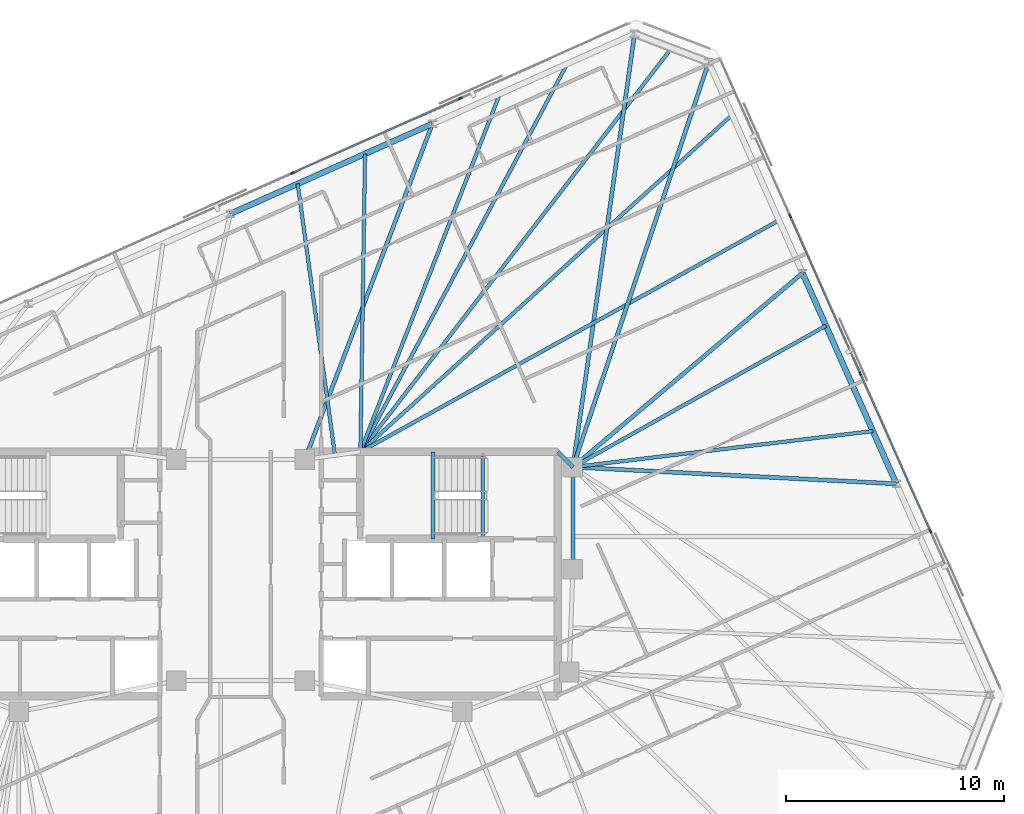
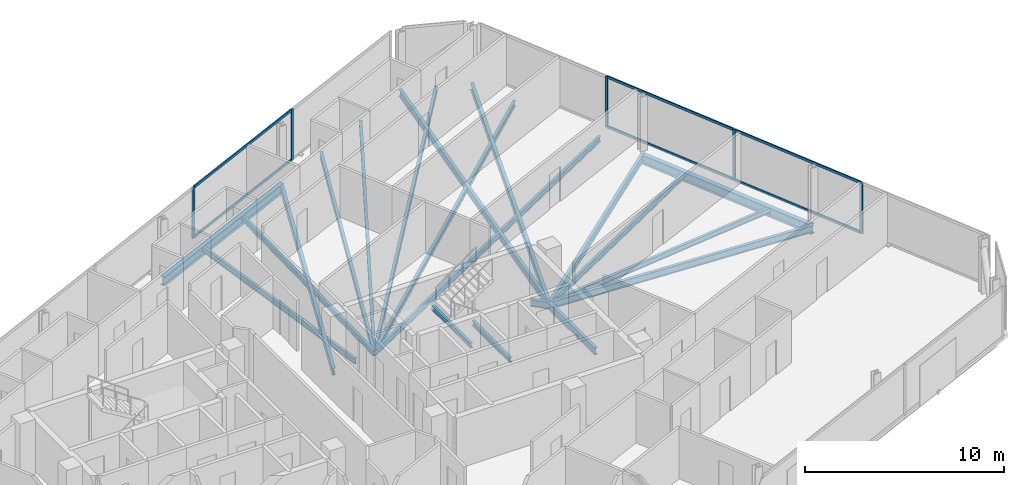
# One storey, part 10 of 19: 20 beams, 11 members, 2 elements without a shape of their own.
"""IFC4 building model written with IfcOpenShell, lengths in metres."""

from ifc_helpers import new_model, si_unit, direction, frame, origin, origin_2d, place, context, subcontext, project, spatial, rectangle, i_section, extrude, material, material_profile, profile_set, type_object, element, aggregate, save


model = new_model("IFC4")

# Units and contexts
model_context = context("Model", 3, precision=1e-05, world=origin(), true_north=direction((0.0, 1.0)))
body_context = subcontext(model_context, "Body", "Model", "MODEL_VIEW")
ifc_project = project(units=[si_unit("LENGTHUNIT", "METRE"), si_unit("AREAUNIT", "SQUARE_METRE"), si_unit("VOLUMEUNIT", "CUBIC_METRE"), si_unit("PLANEANGLEUNIT", "RADIAN"), si_unit("MASSUNIT", "GRAM", prefix="KILO")], contexts=[model_context])

# Site, building, storey
site_placement = place(None, origin())
site = spatial("IfcSite", under=ifc_project, at=site_placement, CompositionType="ELEMENT")
building_placement = place(site_placement, origin())
building = spatial("IfcBuilding", under=site, at=building_placement, Name="Menara Jurai Vektor", CompositionType="ELEMENT")
storey_placement = place(building_placement, frame((0.0, 0.0, 265.550048828125)))
storey = spatial("IfcBuildingStorey", under=building, at=storey_placement, Name="L71", CompositionType="ELEMENT", Elevation=265.550048828125)

# Curtain wall, members
ifc_material_1 = material(Name="Anodised Pale Aluminium & Low-E Double Glazing", Category="aluminium")
curtain_wall_type = type_object("IfcCurtainWallType", Name="CW-BLK5", PredefinedType="NOTDEFINED", material=ifc_material_1)
curtain_wall_1_placement = place(storey_placement, origin())
curtain_wall_1 = element("IfcCurtainWall", 1, at=curtain_wall_1_placement, inside=storey, type_object=curtain_wall_type, Name="Unitised Curtain Wall L71 F03", PredefinedType="NOTDEFINED")
ifc_material_2 = material(Name="Anodised Pale Aluminium Mullion", Category="aluminium")
ifc_material_profile_1 = material_profile(ifc_material_2, rectangle(XDim=0.074951171875, YDim=0.175048828125, at=origin_2d()), Name="ALU MUL 75x175")
ifc_profile_set_1 = profile_set([ifc_material_profile_1], Name="Anodised Pale Aluminium Mullion")
member_type_1 = type_object("IfcMemberType", Name="CW-BLK5-MUL", PredefinedType="MULLION", material=ifc_profile_set_1)
member_1_placement = place(storey_placement, frame((31.6533203125, 1.9658203125, 0.0), z_axis=(0.0, 0.0, 1.0), x_axis=(-0.913546127706, -0.406735138086, 0.0)))
member_1 = element("IfcMember", 2, at=member_1_placement, type_object=member_type_1, Name="CW-05 mullion 2", PredefinedType="MULLION", context=body_context, shape_type="SweptSolid", body=[
    extrude(rectangle(XDim=0.074951171875, YDim=0.175048828125, at=origin_2d()), origin(), (0.0, 0.0, 1.0), 3.125),
])
member_2_placement = place(storey_placement, frame((28.43603515625, 9.19189453125, 0.0), z_axis=(0.0, 0.0, 1.0), x_axis=(-0.913546127706, -0.406735138086, 0.0)))
member_2 = element("IfcMember", 3, at=member_2_placement, type_object=member_type_1, Name="CW-05 mullion 3", PredefinedType="MULLION", context=body_context, shape_type="SweptSolid", body=[
    extrude(rectangle(XDim=0.074951171875, YDim=0.175048828125, at=origin_2d()), origin(), (0.0, 0.0, 1.0), 3.125),
])
member_3_placement = place(storey_placement, frame((25.21875, 16.418212890625, 0.0), z_axis=(0.0, 0.0, 1.0), x_axis=(-0.913546127706, -0.406735138086, 0.0)))
member_3 = element("IfcMember", 4, at=member_3_placement, type_object=member_type_1, Name="CW-05 mullion 4", PredefinedType="MULLION", context=body_context, shape_type="SweptSolid", body=[
    extrude(rectangle(XDim=0.074951171875, YDim=0.175048828125, at=origin_2d()), origin(), (0.0, 0.0, 1.0), 3.125),
])

curtain_wall_2_placement = place(storey_placement, origin())
curtain_wall_2 = element("IfcCurtainWall", 5, at=curtain_wall_2_placement, inside=storey, type_object=curtain_wall_type, Name="Unitised Curtain Wall L71 F05", PredefinedType="NOTDEFINED")
member_4_placement = place(storey_placement, frame((10.0927734375, 21.822998046875, 0.0), z_axis=(0.0, 0.0, 1.0), x_axis=(0.406735498684, -0.913545967158, 0.0)))
member_4 = element("IfcMember", 6, at=member_4_placement, type_object=member_type_1, Name="CW-05 mullion 2", PredefinedType="MULLION", context=body_context, shape_type="SweptSolid", body=[
    extrude(rectangle(XDim=0.074951171875, YDim=0.175048828125, at=origin_2d()), origin(), (0.0, 0.0, 1.0), 3.125),
])
member_5_placement = place(storey_placement, frame((2.38232421875, 18.39013671875, 0.0), z_axis=(0.0, 0.0, 1.0), x_axis=(0.406735498684, -0.913545967158, 0.0)))
member_5 = element("IfcMember", 7, at=member_5_placement, type_object=member_type_1, Name="CW-05 mullion 3", PredefinedType="MULLION", context=body_context, shape_type="SweptSolid", body=[
    extrude(rectangle(XDim=0.074951171875, YDim=0.175048828125, at=origin_2d()), origin(), (0.0, 0.0, 1.0), 3.125),
])

# Member
ifc_material_3 = material(Name="Anodised Pale Aluminium Transom", Category="aluminium")
ifc_material_profile_2 = material_profile(ifc_material_3, rectangle(XDim=0.074951171875, YDim=0.155029296875, at=origin_2d()), Name="ALU TRN 75x155")
ifc_profile_set_2 = profile_set([ifc_material_profile_2], Name="Anodised Pale Aluminium Transom")
member_type_2 = type_object("IfcMemberType", Name="CW-BLK5-TRN", PredefinedType="USERDEFINED", material=ifc_profile_set_2)
member_6_placement = place(storey_placement, frame((31.63818359375, 2.0, 0.037353515625), z_axis=(-0.406731062496, 0.913547942256, 0.0), x_axis=(-0.913547942256, -0.406731062496, 0.0)))
member_6 = element("IfcMember", 8, at=member_6_placement, type_object=member_type_2, Name="CW-05 transom 2.1", ObjectType="TRANSOM", PredefinedType="USERDEFINED", context=body_context, shape_type="SweptSolid", body=[
    extrude(rectangle(XDim=0.074951171875, YDim=0.155029296875, at=origin_2d()), origin(), (0.0, 0.0, 1.0), 7.8349609375),
])

member_7_placement = place(storey_placement, frame((31.63818359375, 2.0, 3.08740234375), z_axis=(-0.406731062496, 0.913547942256, 0.0), x_axis=(-0.913547942256, -0.406731062496, 0.0)))
member_7 = element("IfcMember", 9, at=member_7_placement, type_object=member_type_2, Name="CW-05 transom 2.2", ObjectType="TRANSOM", PredefinedType="USERDEFINED", context=body_context, shape_type="SweptSolid", body=[
    extrude(rectangle(XDim=0.074951171875, YDim=0.155029296875, at=origin_2d()), origin(), (0.0, 0.0, 1.0), 7.8349609375),
])

member_8_placement = place(storey_placement, frame((28.4208984375, 9.226318359375, 0.037353515625), z_axis=(-0.40674264085, 0.913542787238, 0.0), x_axis=(-0.913542787238, -0.40674264085, 0.0)))
member_8 = element("IfcMember", 10, at=member_8_placement, type_object=member_type_2, Name="CW-05 transom 3.1", ObjectType="TRANSOM", PredefinedType="USERDEFINED", context=body_context, shape_type="SweptSolid", body=[
    extrude(rectangle(XDim=0.074951171875, YDim=0.155029296875, at=origin_2d()), origin(), (0.0, 0.0, 1.0), 7.8349609375),
])

member_9_placement = place(storey_placement, frame((28.4208984375, 9.226318359375, 3.08740234375), z_axis=(-0.40674264085, 0.913542787238, 0.0), x_axis=(-0.913542787238, -0.40674264085, 0.0)))
member_9 = element("IfcMember", 11, at=member_9_placement, type_object=member_type_2, Name="CW-05 transom 3.2", ObjectType="TRANSOM", PredefinedType="USERDEFINED", context=body_context, shape_type="SweptSolid", body=[
    extrude(rectangle(XDim=0.074951171875, YDim=0.155029296875, at=origin_2d()), origin(), (0.0, 0.0, 1.0), 7.8349609375),
])

aggregate(curtain_wall_1, [member_1, member_2, member_3, member_6, member_7, member_8, member_9])

member_10_placement = place(storey_placement, frame((10.058349609375, 21.807861328125, 0.037353515625), z_axis=(-0.913546575494, -0.406734132331, 0.0), x_axis=(0.406734132331, -0.913546575494, 0.0)))
member_10 = element("IfcMember", 12, at=member_10_placement, type_object=member_type_2, Name="CW-05 transom 2.1", ObjectType="TRANSOM", PredefinedType="USERDEFINED", context=body_context, shape_type="SweptSolid", body=[
    extrude(rectangle(XDim=0.074951171875, YDim=0.155029296875, at=origin_2d()), origin(), (0.0, 0.0, 1.0), 8.364990234375),
])

member_11_placement = place(storey_placement, frame((10.058349609375, 21.807861328125, 3.08740234375), z_axis=(-0.913546575494, -0.406734132331, 0.0), x_axis=(0.406734132331, -0.913546575494, 0.0)))
member_11 = element("IfcMember", 13, at=member_11_placement, type_object=member_type_2, Name="CW-05 transom 2.2", ObjectType="TRANSOM", PredefinedType="USERDEFINED", context=body_context, shape_type="SweptSolid", body=[
    extrude(rectangle(XDim=0.074951171875, YDim=0.155029296875, at=origin_2d()), origin(), (0.0, 0.0, 1.0), 8.364990234375),
])

aggregate(curtain_wall_2, [member_4, member_5, member_10, member_11])

# Beams
ifc_material_4 = material(Name="Steel S355", Category="steel")
ifc_material_profile_3 = material_profile(ifc_material_4, i_section(OverallWidth=0.18505859375, OverallDepth=0.429931640625, WebThickness=0.010986328125, FlangeThickness=0.01806640625, at=origin_2d()), Name="PG 430x185x76")
ifc_profile_set_3 = profile_set([ifc_material_profile_3], Name="Steel S355")
beam_type_1 = type_object("IfcBeamType", Name="STR-BM-430", PredefinedType="BEAM", material=ifc_profile_set_3)
beam_1_placement = place(storey_placement, frame((14.56005859375, 5.60009765625, -0.43994140625), z_axis=(0.701871936926, -0.712303154672, 0.0), x_axis=(0.712303154672, 0.701871936926, 0.0)))
element("IfcBeam", 14, at=beam_1_placement, inside=storey, type_object=beam_type_1, Name="Core Ring Header Girder L71-CHE-N2", PredefinedType="BEAM", context=body_context, shape_type="SweptSolid", body=[
    extrude(i_section(OverallWidth=0.18505859375, OverallDepth=0.429931640625, WebThickness=0.010986328125, FlangeThickness=0.01806640625, at=origin_2d()), origin(), (0.0, 0.0, 1.0), 0.98291015625),
])
beam_2_placement = place(storey_placement, frame((15.25, 0.219970703125, -0.43994140625), z_axis=(0.0, 1.0, 0.0), x_axis=(-1.0, 0.0, 0.0)))
element("IfcBeam", 15, at=beam_2_placement, inside=storey, type_object=beam_type_1, Name="Core Ring Header Girder L71-CHE-E1", PredefinedType="BEAM", context=body_context, shape_type="SweptSolid", body=[
    extrude(i_section(OverallWidth=0.18505859375, OverallDepth=0.429931640625, WebThickness=0.010986328125, FlangeThickness=0.01806640625, at=origin_2d()), origin(), (0.0, 0.0, 1.0), 4.679931640625),
])
beam_3_placement = place(storey_placement, frame((30.086181640625, 4.13330078125, -0.43994140625), z_axis=(-0.998667716832, 0.051602241782, 0.0), x_axis=(-0.051602241782, -0.998667716832, 0.0)))
element("IfcBeam", 16, at=beam_3_placement, inside=storey, type_object=beam_type_1, Name="Radial Floor Girder L71-E2", PredefinedType="BEAM", context=body_context, shape_type="SweptSolid", body=[
    extrude(i_section(OverallWidth=0.18505859375, OverallDepth=0.429931640625, WebThickness=0.010986328125, FlangeThickness=0.01806640625, at=origin_2d()), origin(), (0.0, 0.0, 1.0), 14.85595703125),
])
beam_4_placement = place(storey_placement, frame((25.781005859375, 13.80322265625, -0.43994140625), z_axis=(-0.763655500673, -0.6456239434, 0.0), x_axis=(0.6456239434, -0.763655500673, 0.0)))
element("IfcBeam", 17, at=beam_4_placement, inside=storey, type_object=beam_type_1, Name="Radial Floor Girder L71-E3", PredefinedType="BEAM", context=body_context, shape_type="SweptSolid", body=[
    extrude(i_section(OverallWidth=0.18505859375, OverallDepth=0.429931640625, WebThickness=0.010986328125, FlangeThickness=0.01806640625, at=origin_2d()), origin(), (0.0, 0.0, 1.0), 13.790283203125),
])
beam_5_placement = place(storey_placement, frame((21.4755859375, 23.473388671875, -0.43994140625), z_axis=(-0.317808893183, -0.948154790851, 0.0), x_axis=(0.948154790851, -0.317808893183, 0.0)))
element("IfcBeam", 18, at=beam_5_placement, inside=storey, type_object=beam_type_1, Name="Radial Floor Girder L71-E4", PredefinedType="BEAM", context=body_context, shape_type="SweptSolid", body=[
    extrude(i_section(OverallWidth=0.18505859375, OverallDepth=0.429931640625, WebThickness=0.010986328125, FlangeThickness=0.01806640625, at=origin_2d()), origin(), (0.0, 0.0, 1.0), 19.589111328125),
])
beam_6_placement = place(storey_placement, frame((18.07958984375, 24.777099609375, -0.43994140625), z_axis=(-0.140932755913, -0.990019170678, 0.0), x_axis=(0.990019170678, -0.140932755913, 0.0)))
element("IfcBeam", 19, at=beam_6_placement, inside=storey, type_object=beam_type_1, Name="Radial Floor Girder L71-N1", PredefinedType="BEAM", context=body_context, shape_type="SweptSolid", body=[
    extrude(i_section(OverallWidth=0.18505859375, OverallDepth=0.429931640625, WebThickness=0.010986328125, FlangeThickness=0.01806640625, at=origin_2d()), origin(), (0.0, 0.0, 1.0), 20.07763671875),
])
beam_7_placement = place(storey_placement, frame((8.805908203125, 20.648193359375, -0.43994140625), z_axis=(-0.355464051758, -0.934689952823, 0.0), x_axis=(0.934689952823, -0.355464051758, 0.0)))
element("IfcBeam", 20, at=beam_7_placement, inside=storey, type_object=beam_type_1, Name="Radial Floor Girder L71-N2", PredefinedType="BEAM", context=body_context, shape_type="SweptSolid", body=[
    extrude(i_section(OverallWidth=0.18505859375, OverallDepth=0.429931640625, WebThickness=0.010986328125, FlangeThickness=0.01806640625, at=origin_2d()), origin(), (0.0, 0.0, 1.0), 16.47412109375),
])
ifc_material_profile_4 = material_profile(ifc_material_4, i_section(OverallWidth=0.1650390625, OverallDepth=0.330078125, WebThickness=0.009033203125, FlangeThickness=0.013916015625, at=origin_2d()), Name="PG 330x165x46")
ifc_profile_set_4 = profile_set([ifc_material_profile_4], Name="Steel S355")
beam_type_2 = type_object("IfcBeamType", Name="STR-JS-330", PredefinedType="JOIST", material=ifc_profile_set_4)
beam_8_placement = place(storey_placement, frame((29.010009765625, 6.55078125, -0.39013671875), z_axis=(-0.992879589053, -0.119122296999, 0.0), x_axis=(0.119122296999, -0.992879589053, 0.0)))
element("IfcBeam", 21, at=beam_8_placement, inside=storey, type_object=beam_type_2, Name="Radial Secondary Floor Joist L71-JS10", PredefinedType="JOIST", context=body_context, shape_type="SweptSolid", body=[
    extrude(i_section(OverallWidth=0.1650390625, OverallDepth=0.330078125, WebThickness=0.009033203125, FlangeThickness=0.013916015625, at=origin_2d()), origin(), (0.0, 0.0, 1.0), 13.858642578125),
])
beam_9_placement = place(storey_placement, frame((26.857177734375, 11.3857421875, -0.39013671875), z_axis=(-0.872960269613, -0.487791315705, 0.0), x_axis=(0.487791315705, -0.872960269613, 0.0)))
element("IfcBeam", 22, at=beam_9_placement, inside=storey, type_object=beam_type_2, Name="Radial Secondary Floor Joist L71-JS11", PredefinedType="JOIST", context=body_context, shape_type="SweptSolid", body=[
    extrude(i_section(OverallWidth=0.1650390625, OverallDepth=0.330078125, WebThickness=0.009033203125, FlangeThickness=0.013916015625, at=origin_2d()), origin(), (0.0, 0.0, 1.0), 13.29638671875),
])
beam_10_placement = place(storey_placement, frame((24.70458984375, 16.220703125, -0.39013671875), z_axis=(-0.87509599458, -0.483949377797, 0.0), x_axis=(0.483949377797, -0.87509599458, 0.0)))
element("IfcBeam", 23, at=beam_10_placement, inside=storey, type_object=beam_type_2, Name="Radial Secondary Floor Joist L71-JS12", PredefinedType="JOIST", context=body_context, shape_type="SweptSolid", body=[
    extrude(i_section(OverallWidth=0.1650390625, OverallDepth=0.330078125, WebThickness=0.009033203125, FlangeThickness=0.013916015625, at=origin_2d()), origin(), (0.0, 0.0, 1.0), 21.94580078125),
])
beam_11_placement = place(storey_placement, frame((22.552001953125, 21.055908203125, -0.39013671875), z_axis=(-0.74093432875, -0.67157748658, 0.0), x_axis=(0.67157748658, -0.74093432875, 0.0)))
element("IfcBeam", 24, at=beam_11_placement, inside=storey, type_object=beam_type_2, Name="Radial Secondary Floor Joist L71-JS13", PredefinedType="JOIST", context=body_context, shape_type="SweptSolid", body=[
    extrude(i_section(OverallWidth=0.1650390625, OverallDepth=0.330078125, WebThickness=0.009033203125, FlangeThickness=0.013916015625, at=origin_2d()), origin(), (0.0, 0.0, 1.0), 23.01416015625),
])
beam_12_placement = place(storey_placement, frame((19.777587890625, 24.125244140625, -0.39013671875), z_axis=(-0.610448519134, -0.792055935832, 0.0), x_axis=(0.792055935832, -0.610448519134, 0.0)))
element("IfcBeam", 25, at=beam_12_placement, inside=storey, type_object=beam_type_2, Name="Radial Secondary Floor Joist L71-JS14", PredefinedType="JOIST", context=body_context, shape_type="SweptSolid", body=[
    extrude(i_section(OverallWidth=0.1650390625, OverallDepth=0.330078125, WebThickness=0.009033203125, FlangeThickness=0.013916015625, at=origin_2d()), origin(), (0.0, 0.0, 1.0), 23.388671875),
])
beam_13_placement = place(storey_placement, frame((14.98828125, 23.400634765625, -0.39013671875), z_axis=(-0.470382173413, -0.882462809945, 0.0), x_axis=(0.882462809945, -0.470382173413, 0.0)))
element("IfcBeam", 26, at=beam_13_placement, inside=storey, type_object=beam_type_2, Name="Radial Secondary Floor Joist L71-JS15", PredefinedType="JOIST", context=body_context, shape_type="SweptSolid", body=[
    extrude(i_section(OverallWidth=0.1650390625, OverallDepth=0.330078125, WebThickness=0.009033203125, FlangeThickness=0.013916015625, at=origin_2d()), origin(), (0.0, 0.0, 1.0), 20.17138671875),
])
beam_14_placement = place(storey_placement, frame((11.897216796875, 22.0244140625, -0.39013671875), z_axis=(-0.36293816309, -0.931813226872, 0.0), x_axis=(0.931813226872, -0.36293816309, 0.0)))
element("IfcBeam", 27, at=beam_14_placement, inside=storey, type_object=beam_type_2, Name="Radial Secondary Floor Joist L71-JS16", PredefinedType="JOIST", context=body_context, shape_type="SweptSolid", body=[
    extrude(i_section(OverallWidth=0.1650390625, OverallDepth=0.330078125, WebThickness=0.009033203125, FlangeThickness=0.013916015625, at=origin_2d()), origin(), (0.0, 0.0, 1.0), 17.626220703125),
])
beam_15_placement = place(storey_placement, frame((5.71484375, 19.27197265625, -0.39013671875), z_axis=(-0.01571234584, -0.999876553475, 0.0), x_axis=(0.999876553475, -0.01571234584, 0.0)))
element("IfcBeam", 28, at=beam_15_placement, inside=storey, type_object=beam_type_2, Name="Radial Secondary Floor Joist L71-JS17", PredefinedType="JOIST", context=body_context, shape_type="SweptSolid", body=[
    extrude(i_section(OverallWidth=0.1650390625, OverallDepth=0.330078125, WebThickness=0.009033203125, FlangeThickness=0.013916015625, at=origin_2d()), origin(), (0.0, 0.0, 1.0), 13.673583984375),
])
beam_16_placement = place(storey_placement, frame((2.62353515625, 17.8955078125, -0.39013671875), z_axis=(0.13599011119, -0.990710194587, 0.0), x_axis=(0.990710194587, 0.13599011119, 0.0)))
element("IfcBeam", 29, at=beam_16_placement, inside=storey, type_object=beam_type_2, Name="Radial Secondary Floor Joist L71-JS18", PredefinedType="JOIST", context=body_context, shape_type="SweptSolid", body=[
    extrude(i_section(OverallWidth=0.1650390625, OverallDepth=0.330078125, WebThickness=0.009033203125, FlangeThickness=0.013916015625, at=origin_2d()), origin(), (0.0, 0.0, 1.0), 12.572265625),
])
ifc_material_profile_5 = material_profile(ifc_material_4, i_section(OverallWidth=0.1650390625, OverallDepth=0.302978515625, WebThickness=0.006103515625, FlangeThickness=0.010009765625, FilletRadius=0.009033203125, at=origin_2d()), Name="UKB 305x165x40")
ifc_profile_set_5 = profile_set([ifc_material_profile_5], Name="Steel S355")
beam_type_3 = type_object("IfcBeamType", Name="STR-LN-305", PredefinedType="LINTEL", material=ifc_profile_set_5)
beam_17_placement = place(storey_placement, frame((11.1201171875, 1.60009765625, -0.37646484375), z_axis=(0.0, 1.0, 0.0), x_axis=(-1.0, 0.0, 0.0)))
element("IfcBeam", 30, at=beam_17_placement, inside=storey, type_object=beam_type_3, Name="Stair Well Floor Trimmer ST2 L71", PredefinedType="LINTEL", context=body_context, shape_type="SweptSolid", body=[
    extrude(i_section(OverallWidth=0.1650390625, OverallDepth=0.302978515625, WebThickness=0.006103515625, FlangeThickness=0.010009765625, FilletRadius=0.009033203125, at=origin_2d()), origin(), (0.0, 0.0, 1.0), 3.81982421875),
])
beam_18_placement = place(storey_placement, frame((8.830078125, 1.60009765625, 1.323486328125), z_axis=(0.0, 1.0, 0.0), x_axis=(-1.0, 0.0, 0.0)))
element("IfcBeam", 31, at=beam_18_placement, inside=storey, type_object=beam_type_3, Name="Stair Half-Landing Nosing Trimmer ST2-1 L71", PredefinedType="LINTEL", context=body_context, shape_type="SweptSolid", body=[
    extrude(i_section(OverallWidth=0.1650390625, OverallDepth=0.302978515625, WebThickness=0.006103515625, FlangeThickness=0.010009765625, FilletRadius=0.009033203125, at=origin_2d()), origin(), (0.0, 0.0, 1.0), 4.0),
])
ifc_material_profile_6 = material_profile(ifc_material_4, i_section(OverallWidth=0.260009765625, OverallDepth=0.570068359375, WebThickness=0.013916015625, FlangeThickness=0.02392578125, at=origin_2d()), Name="PG 570x260x145")
ifc_profile_set_6 = profile_set([ifc_material_profile_6], Name="Steel S355")
beam_type_4 = type_object("IfcBeamType", Name="STR-SP-570", PredefinedType="SPANDREL", material=ifc_profile_set_6)
beam_19_placement = place(storey_placement, frame((30.086181640625, 4.13330078125, -0.510009765625), z_axis=(-0.406724751578, 0.913550751986, 0.0), x_axis=(-0.913550751986, -0.406724751578, 0.0)))
element("IfcBeam", 32, at=beam_19_placement, inside=storey, type_object=beam_type_4, Name="Exoskeleton Spandrel Beam L71-08", PredefinedType="SPANDREL", context=body_context, shape_type="SweptSolid", body=[
    extrude(i_section(OverallWidth=0.260009765625, OverallDepth=0.570068359375, WebThickness=0.013916015625, FlangeThickness=0.02392578125, at=origin_2d()), origin(), (0.0, 0.0, 1.0), 10.5849609375),
])
beam_20_placement = place(storey_placement, frame((8.805908203125, 20.648193359375, -0.510009765625), z_axis=(-0.913541582548, -0.406745346568, 0.0), x_axis=(0.406745346568, -0.913541582548, 0.0)))
element("IfcBeam", 33, at=beam_20_placement, inside=storey, type_object=beam_type_4, Name="Exoskeleton Spandrel Beam L71-12", PredefinedType="SPANDREL", context=body_context, shape_type="SweptSolid", body=[
    extrude(i_section(OverallWidth=0.260009765625, OverallDepth=0.570068359375, WebThickness=0.013916015625, FlangeThickness=0.02392578125, at=origin_2d()), origin(), (0.0, 0.0, 1.0), 10.151123046875),
])

save(model, "model.ifc")
